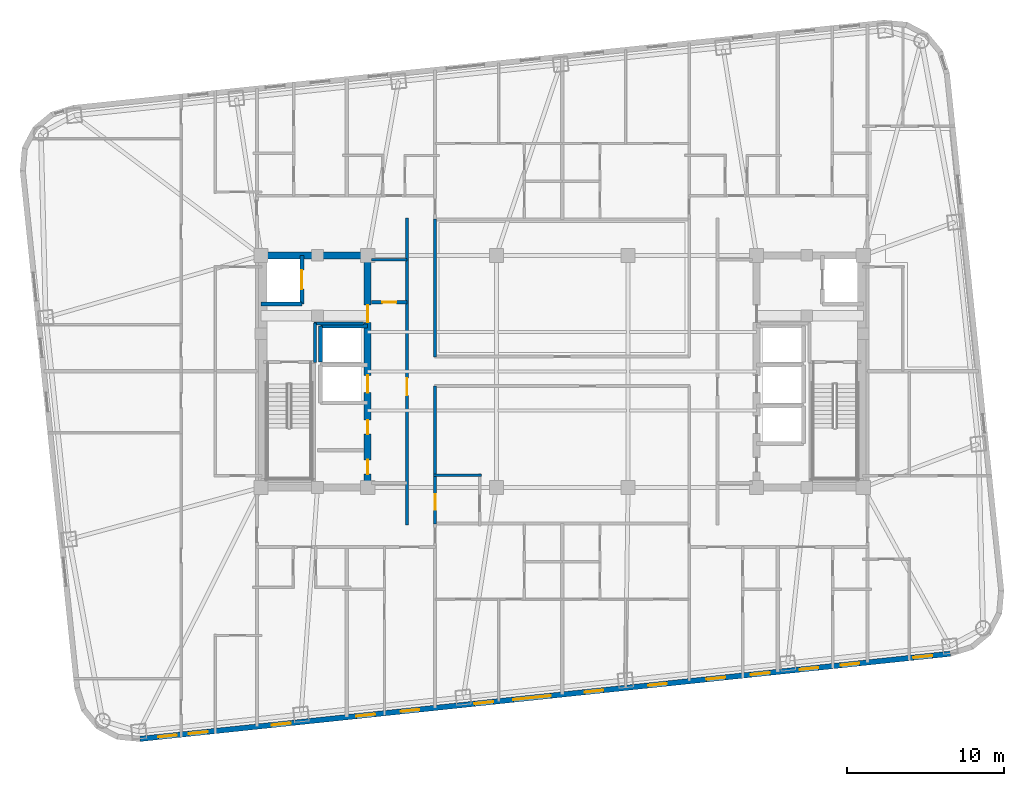
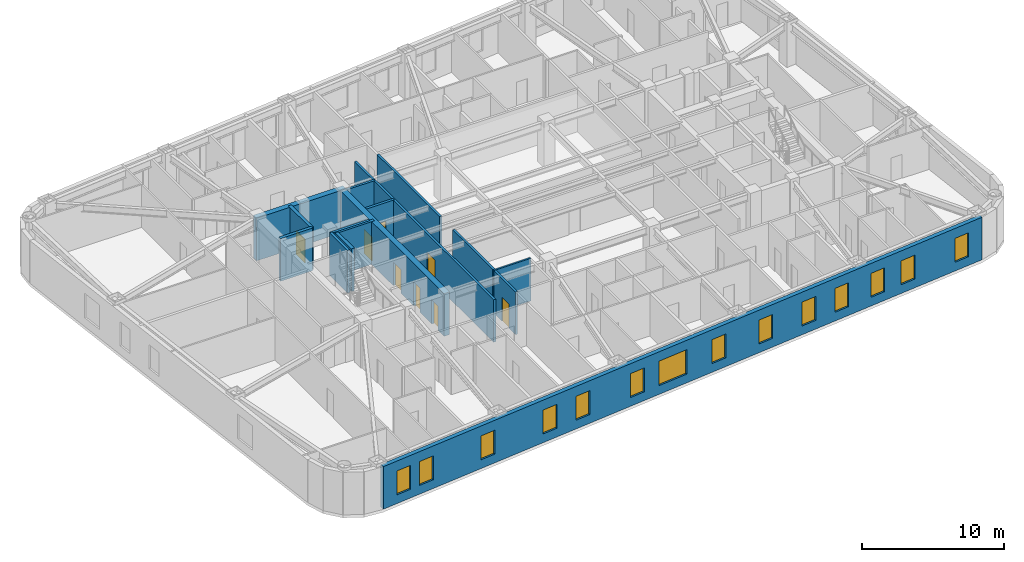
# One storey, part 4 of 11: 15 walls, 14 windows, 8 doors, 22 openings.
"""IFC4 building model written with IfcOpenShell, lengths in metres."""

from ifc_helpers import new_model, si_unit, direction, frame, frame_2d, origin, place, context, subcontext, project, spatial, rectangle, extrude, material, layer, layer_set, type_object, element, fill, save


model = new_model("IFC4")

# Units and contexts
model_context = context("Model", 3, precision=1e-05, world=origin(), true_north=direction((0.0, 1.0)))
body_context = subcontext(model_context, "Body", "Model", "MODEL_VIEW")
ifc_project = project(units=[si_unit("LENGTHUNIT", "METRE"), si_unit("AREAUNIT", "SQUARE_METRE"), si_unit("VOLUMEUNIT", "CUBIC_METRE"), si_unit("PLANEANGLEUNIT", "RADIAN"), si_unit("MASSUNIT", "GRAM", prefix="KILO")], contexts=[model_context])

# Site, building, storey
site_placement = place(None, origin())
site = spatial("IfcSite", under=ifc_project, at=site_placement, CompositionType="ELEMENT")
building_placement = place(site_placement, origin())
building = spatial("IfcBuilding", under=site, at=building_placement, Name="Voryun Gate Residences", CompositionType="ELEMENT")
storey_placement = place(building_placement, frame((0.0, 0.0, 183.300048828125)))
storey = spatial("IfcBuildingStorey", under=building, at=storey_placement, Name="L45", CompositionType="ELEMENT", Elevation=183.300048828125)

# Wall
ifc_material_1 = material(Name="Concrete C50/60", Category="concrete")
ifc_layer_1 = layer(ifc_material_1, 0.449951171875, Name="CW_CORE_450")
ifc_layer_set_1 = layer_set([ifc_layer_1], Name="Concrete C50/60")
wall_type_1 = type_object("IfcWallType", Name="CW_CORE_450", PredefinedType="SHEAR", material=ifc_layer_set_1)
wall_1_placement = place(storey_placement, frame((-19.425048828125, 7.39990234375, 0.0), z_axis=(0.0, 0.0, 1.0), x_axis=(1.0, 0.0, 0.0)))
element("IfcWall", 1, at=wall_1_placement, inside=storey, type_object=wall_type_1, Name="L45 Core shear wall CW-L45-WN", PredefinedType="SHEAR", context=body_context, shape_type="SweptSolid", body=[
    extrude(rectangle(XDim=7.25, YDim=0.449951171875, at=frame_2d((3.625, 0.0))), origin(), (0.0, 0.0, 1.0), 3.64990234375),
])

# Wall, openings, doors
wall_2_placement = place(storey_placement, frame((-12.39990234375, -7.39990234375, 0.0), z_axis=(0.0, 0.0, 1.0), x_axis=(0.0, 1.0, 0.0)))
wall_2 = element("IfcWall", 2, at=wall_2_placement, inside=storey, type_object=wall_type_1, Name="L45 Core shear wall CW-L45-WE", PredefinedType="SHEAR", context=body_context, shape_type="SweptSolid", body=[
    extrude(rectangle(XDim=14.7998046875, YDim=0.449951171875, at=frame_2d((7.39990234375, 0.0))), origin(), (0.0, 0.0, 1.0), 3.64990234375),
])
opening_1_placement = place(wall_2_placement, frame((6.050048828125, 0.0, 0.0)))
opening_1 = element("IfcOpeningElement", 3, at=opening_1_placement, cuts=wall_2, Name="Opening LD2", PredefinedType="OPENING", context=body_context, shape_type="SweptSolid", body=[
    extrude(rectangle(XDim=1.10009765625, YDim=2.050048828125, at=frame_2d((0.550048828125, 1.02490234375))), frame((0.0, 0.235107421875, 0.0), z_axis=(0.0, -1.0, 0.0), x_axis=(1.0, 0.0, 0.0)), (0.0, 0.0, 1.0), 0.469970703125),
])
opening_2_placement = place(wall_2_placement, frame((10.530029296875, 0.0, 0.0)))
opening_2 = element("IfcOpeningElement", 4, at=opening_2_placement, cuts=wall_2, Name="Opening D-FD60-2", PredefinedType="OPENING", context=body_context, shape_type="SweptSolid", body=[
    extrude(rectangle(XDim=1.10009765625, YDim=2.050048828125, at=frame_2d((0.550048828125, 1.02490234375))), frame((0.0, 0.235107421875, 0.0), z_axis=(0.0, -1.0, 0.0), x_axis=(1.0, 0.0, 0.0)), (0.0, 0.0, 1.0), 0.469970703125),
])
opening_3_placement = place(wall_2_placement, frame((0.85009765625, 0.0, 0.0)))
opening_3 = element("IfcOpeningElement", 5, at=opening_3_placement, cuts=wall_2, Name="Opening D-FD60-4", PredefinedType="OPENING", context=body_context, shape_type="SweptSolid", body=[
    extrude(rectangle(XDim=0.89990234375, YDim=2.050048828125, at=frame_2d((0.449951171875, 1.02490234375))), frame((0.0, 0.235107421875, 0.0), z_axis=(0.0, -1.0, 0.0), x_axis=(1.0, 0.0, 0.0)), (0.0, 0.0, 1.0), 0.469970703125),
])
opening_4_placement = place(wall_2_placement, frame((3.39990234375, 0.0, 0.0)))
opening_4 = element("IfcOpeningElement", 6, at=opening_4_placement, cuts=wall_2, Name="Opening D-FD60-4", PredefinedType="OPENING", context=body_context, shape_type="SweptSolid", body=[
    extrude(rectangle(XDim=0.89990234375, YDim=2.050048828125, at=frame_2d((0.449951171875, 1.02490234375))), frame((0.0, 0.235107421875, 0.0), z_axis=(0.0, -1.0, 0.0), x_axis=(1.0, 0.0, 0.0)), (0.0, 0.0, 1.0), 0.469970703125),
])
ifc_material_2 = material(Name="Painted steel fire door", Category="steel")
door_type_1 = type_object("IfcDoorType", Name="DR_FD60_FFLOB_1100", OperationType="NOTDEFINED", PredefinedType="DOOR", material=ifc_material_2)
door_1_placement = place(opening_2_placement, origin())
door_1 = element("IfcDoor", 7, at=door_1_placement, inside=storey, type_object=door_type_1, Name="Door DR-L45-CLOB-W", OperationType="SINGLE_SWING_LEFT", OverallHeight=2.050048828125, OverallWidth=1.10009765625, PredefinedType="DOOR", context=body_context, shape_type="SweptSolid", body=[
    extrude(rectangle(XDim=1.10009765625, YDim=2.050048828125, at=frame_2d((0.550048828125, 1.02490234375))), frame((0.0, 0.02490234375, 0.0), z_axis=(0.0, -1.0, 0.0), x_axis=(1.0, 0.0, 0.0)), (0.0, 0.0, 1.0), 0.050048828125),
])
fill(opening_2, door_1)
ifc_material_3 = material(Name="Painted steel fire door", Category="steel")
door_type_2 = type_object("IfcDoorType", Name="DR_FD60_RISER_900", OperationType="NOTDEFINED", PredefinedType="DOOR", material=ifc_material_3)
door_2_placement = place(opening_3_placement, origin())
door_2 = element("IfcDoor", 8, at=door_2_placement, inside=storey, type_object=door_type_2, Name="Door DR-L45-RECWB1", OperationType="SINGLE_SWING_LEFT", OverallHeight=2.050048828125, OverallWidth=0.89990234375, PredefinedType="DOOR", context=body_context, shape_type="SweptSolid", body=[
    extrude(rectangle(XDim=0.89990234375, YDim=2.050048828125, at=frame_2d((0.449951171875, 1.02490234375))), frame((0.0, 0.02490234375, 0.0), z_axis=(0.0, -1.0, 0.0), x_axis=(1.0, 0.0, 0.0)), (0.0, 0.0, 1.0), 0.050048828125),
])
fill(opening_3, door_2)
door_3_placement = place(opening_4_placement, origin())
door_3 = element("IfcDoor", 9, at=door_3_placement, inside=storey, type_object=door_type_2, Name="Door DR-L45-RECWB2", OperationType="SINGLE_SWING_RIGHT", OverallHeight=2.050048828125, OverallWidth=0.89990234375, PredefinedType="DOOR", context=body_context, shape_type="SweptSolid", body=[
    extrude(rectangle(XDim=0.89990234375, YDim=2.050048828125, at=frame_2d((0.449951171875, 1.02490234375))), frame((0.0, 0.02490234375, 0.0), z_axis=(0.0, -1.0, 0.0), x_axis=(1.0, 0.0, 0.0)), (0.0, 0.0, 1.0), 0.050048828125),
])
fill(opening_4, door_3)
ifc_material_4 = material(Name="Anodised aluminium", Category="aluminium")
door_type_3 = type_object("IfcDoorType", Name="DR_LD_PASS_1100", OperationType="NOTDEFINED", PredefinedType="DOOR", material=ifc_material_4)
door_4_placement = place(opening_1_placement, origin())
door_4 = element("IfcDoor", 10, at=door_4_placement, inside=storey, type_object=door_type_3, Name="Lift EL-P4 sliding landing door L45", OperationType="SLIDING_TO_LEFT", OverallHeight=2.050048828125, OverallWidth=1.10009765625, PredefinedType="DOOR", context=body_context, shape_type="SweptSolid", body=[
    extrude(rectangle(XDim=1.10009765625, YDim=2.050048828125, at=frame_2d((0.550048828125, 1.02490234375))), frame((0.0, 0.02490234375, 0.0), z_axis=(0.0, -1.0, 0.0), x_axis=(1.0, 0.0, 0.0)), (0.0, 0.0, 1.0), 0.050048828125),
])
fill(opening_1, door_4)

# Wall
ifc_material_5 = material(Name="Gypsum acoustic fireboard")
ifc_layer_2 = layer(ifc_material_5, 0.179931640625, Name="W_CORR_RATED_180")
ifc_layer_set_2 = layer_set([ifc_layer_2], Name="Gypsum acoustic fireboard")
wall_type_2 = type_object("IfcWallType", Name="W_CORR_RATED_180", PredefinedType="PARTITIONING", material=ifc_layer_set_2)
wall_3_placement = place(storey_placement, frame((-12.14990234375, 7.1201171875, 0.0), z_axis=(0.0, 0.0, 1.0), x_axis=(1.0, 0.0, 0.0)))
element("IfcWall", 11, at=wall_3_placement, inside=storey, type_object=wall_type_2, Name="Partition wall WP-L45-PLBN-W", PredefinedType="PARTITIONING", context=body_context, shape_type="SweptSolid", body=[
    extrude(rectangle(XDim=2.27001953125, YDim=0.179931640625, at=frame_2d((1.135009765625, 0.0))), origin(), (0.0, 0.0, 1.0), 3.64990234375),
])

# Wall, opening, door
wall_4_placement = place(storey_placement, frame((-9.89990234375, -9.780029296875, 0.0), z_axis=(0.0, 0.0, 1.0), x_axis=(0.0, 1.0, 0.0)))
wall_4 = element("IfcWall", 12, at=wall_4_placement, inside=storey, type_object=wall_type_2, Name="Partition wall WP-L45-PLBW-FULL", PredefinedType="PARTITIONING", context=body_context, shape_type="SweptSolid", body=[
    extrude(rectangle(XDim=19.56005859375, YDim=0.179931640625, at=frame_2d((9.780029296875, 0.0))), origin(), (0.0, 0.0, 1.0), 3.64990234375),
])
opening_5_placement = place(wall_4_placement, frame((8.251953125, 0.0, 0.0)))
opening_5 = element("IfcOpeningElement", 13, at=opening_5_placement, cuts=wall_4, Name="Opening D-FD60-2", PredefinedType="OPENING", context=body_context, shape_type="SweptSolid", body=[
    extrude(rectangle(XDim=1.10009765625, YDim=2.050048828125, at=frame_2d((0.550048828125, 1.02490234375))), frame((0.0, 0.099853515625, 0.0), z_axis=(0.0, -1.0, 0.0), x_axis=(1.0, 0.0, 0.0)), (0.0, 0.0, 1.0), 0.199951171875),
])
door_5_placement = place(opening_5_placement, origin())
door_5 = element("IfcDoor", 14, at=door_5_placement, inside=storey, type_object=door_type_1, Name="Door DR-L45-PLBW-COR", OperationType="SINGLE_SWING_LEFT", OverallHeight=2.050048828125, OverallWidth=1.10009765625, PredefinedType="DOOR", context=body_context, shape_type="SweptSolid", body=[
    extrude(rectangle(XDim=1.10009765625, YDim=2.050048828125, at=frame_2d((0.550048828125, 1.02490234375))), frame((0.0, 0.02490234375, 0.0), z_axis=(0.0, -1.0, 0.0), x_axis=(1.0, 0.0, 0.0)), (0.0, 0.0, 1.0), 0.050048828125),
])
fill(opening_5, door_5)

# Wall
wall_5_placement = place(storey_placement, frame((-8.10009765625, 0.919921875, 0.0), z_axis=(0.0, 0.0, 1.0), x_axis=(0.0, 1.0, 0.0)))
element("IfcWall", 15, at=wall_5_placement, inside=storey, type_object=wall_type_2, Name="Partition wall WP-L45-Z2WL1", PredefinedType="PARTITIONING", context=body_context, shape_type="SweptSolid", body=[
    extrude(rectangle(XDim=8.81005859375, YDim=0.179931640625, at=frame_2d((4.405029296875, 0.0))), origin(), (0.0, 0.0, 1.0), 3.64990234375),
])

# Wall, opening, door
wall_6_placement = place(storey_placement, frame((-8.10009765625, -9.72998046875, 0.0), z_axis=(0.0, 0.0, 1.0), x_axis=(0.0, 1.0, 0.0)))
wall_6 = element("IfcWall", 16, at=wall_6_placement, inside=storey, type_object=wall_type_2, Name="Partition wall WP-L45-Z2WL2", PredefinedType="PARTITIONING", context=body_context, shape_type="SweptSolid", body=[
    extrude(rectangle(XDim=8.81005859375, YDim=0.179931640625, at=frame_2d((4.405029296875, 0.0))), origin(), (0.0, 0.0, 1.0), 3.64990234375),
])
opening_6_placement = place(wall_6_placement, frame((0.90966796875, 0.0, 0.0)))
opening_6 = element("IfcOpeningElement", 17, at=opening_6_placement, cuts=wall_6, Name="Opening D-AWC-1", PredefinedType="OPENING", context=body_context, shape_type="SweptSolid", body=[
    extrude(rectangle(XDim=1.0, YDim=2.050048828125, at=frame_2d((0.5, 1.02490234375))), frame((0.0, 0.099853515625, 0.0), z_axis=(0.0, -1.0, 0.0), x_axis=(1.0, 0.0, 0.0)), (0.0, 0.0, 1.0), 0.199951171875),
])
ifc_material_6 = material(Name="Architectural oak veneer")
door_type_4 = type_object("IfcDoorType", Name="DR_ACC_WC_1000", OperationType="NOTDEFINED", PredefinedType="DOOR", material=ifc_material_6)
door_6_placement = place(opening_6_placement, origin())
door_6 = element("IfcDoor", 18, at=door_6_placement, inside=storey, type_object=door_type_4, Name="Door DR-L45-CMWC-D", OperationType="SINGLE_SWING_LEFT", OverallHeight=2.050048828125, OverallWidth=1.0, PredefinedType="DOOR", context=body_context, shape_type="SweptSolid", body=[
    extrude(rectangle(XDim=1.0, YDim=2.050048828125, at=frame_2d((0.5, 1.02490234375))), frame((0.0, 0.02490234375, 0.0), z_axis=(0.0, -1.0, 0.0), x_axis=(1.0, 0.0, 0.0)), (0.0, 0.0, 1.0), 0.050048828125),
])
fill(opening_6, door_6)

# Wall, openings, windows
ifc_material_7 = material(Name="Charcoal terracotta masonry", Category="masonry")
ifc_layer_3 = layer(ifc_material_7, 0.340087890625, Name="W_EXT_TERRACOTTA_340")
ifc_layer_set_3 = layer_set([ifc_layer_3], Name="Charcoal terracotta masonry")
wall_type_3 = type_object("IfcWallType", Name="W_EXT_TERRACOTTA_340", PredefinedType="ELEMENTEDWALL", material=ifc_layer_set_3)
wall_7_placement = place(storey_placement, frame((24.755615234375, -18.003173828125, 0.0), z_axis=(0.0, 0.0, 1.0), x_axis=(-0.99452160744, -0.104531202687, 0.0)))
wall_7 = element("IfcWall", 19, at=wall_7_placement, inside=storey, type_object=wall_type_3, Name="Exterior wall WEXT-L45-01", PredefinedType="ELEMENTEDWALL", context=body_context, shape_type="SweptSolid", body=[
    extrude(rectangle(XDim=51.966552734375, YDim=0.340087890625, at=frame_2d((25.9833984375, 0.0))), origin(), (0.0, 0.0, 1.0), 3.64990234375),
])
opening_7_placement = place(wall_7_placement, frame((25.63330078125, 0.0, 0.75)))
opening_7 = element("IfcOpeningElement", 20, at=opening_7_placement, cuts=wall_7, Name="Opening WN2", PredefinedType="OPENING", context=body_context, shape_type="SweptSolid", body=[
    extrude(rectangle(XDim=2.39990234375, YDim=2.10009765625, at=frame_2d((1.199951171875, 1.050048828125))), frame((0.0, 0.179931640625, 0.0), z_axis=(0.0, -1.0, 0.0), x_axis=(1.0, 0.0, 0.0)), (0.0, 0.0, 1.0), 0.360107421875),
])
opening_8_placement = place(wall_7_placement, frame((42.301025390625, 0.0, 0.75)))
opening_8 = element("IfcOpeningElement", 21, at=opening_8_placement, cuts=wall_7, Name="Opening WN6", PredefinedType="OPENING", context=body_context, shape_type="SweptSolid", body=[
    extrude(rectangle(XDim=1.199951171875, YDim=2.050048828125, at=frame_2d((0.60009765625, 1.02490234375))), frame((0.0, 0.179931640625, 0.0), z_axis=(0.0, -1.0, 0.0), x_axis=(1.0, 0.0, 0.0)), (0.0, 0.0, 1.0), 0.360107421875),
])
opening_9_placement = place(wall_7_placement, frame((34.048583984375, 0.0, 0.75)))
opening_9 = element("IfcOpeningElement", 22, at=opening_9_placement, cuts=wall_7, Name="Opening WN6", PredefinedType="OPENING", context=body_context, shape_type="SweptSolid", body=[
    extrude(rectangle(XDim=1.199951171875, YDim=2.050048828125, at=frame_2d((0.60009765625, 1.02490234375))), frame((0.0, 0.179931640625, 0.0), z_axis=(0.0, -1.0, 0.0), x_axis=(1.0, 0.0, 0.0)), (0.0, 0.0, 1.0), 0.360107421875),
])
opening_10_placement = place(wall_7_placement, frame((36.89404296875, 0.0, 0.75)))
opening_10 = element("IfcOpeningElement", 23, at=opening_10_placement, cuts=wall_7, Name="Opening WN6", PredefinedType="OPENING", context=body_context, shape_type="SweptSolid", body=[
    extrude(rectangle(XDim=1.199951171875, YDim=2.050048828125, at=frame_2d((0.60009765625, 1.02490234375))), frame((0.0, 0.179931640625, 0.0), z_axis=(0.0, -1.0, 0.0), x_axis=(1.0, 0.0, 0.0)), (0.0, 0.0, 1.0), 0.360107421875),
])
opening_11_placement = place(wall_7_placement, frame((14.43603515625, 0.0, 0.75)))
opening_11 = element("IfcOpeningElement", 24, at=opening_11_placement, cuts=wall_7, Name="Opening WN6", PredefinedType="OPENING", context=body_context, shape_type="SweptSolid", body=[
    extrude(rectangle(XDim=1.199951171875, YDim=2.050048828125, at=frame_2d((0.60009765625, 1.02490234375))), frame((0.0, 0.179931640625, 0.0), z_axis=(0.0, -1.0, 0.0), x_axis=(1.0, 0.0, 0.0)), (0.0, 0.0, 1.0), 0.360107421875),
])
opening_12_placement = place(wall_7_placement, frame((11.590576171875, 0.0, 0.75)))
opening_12 = element("IfcOpeningElement", 25, at=opening_12_placement, cuts=wall_7, Name="Opening WN6", PredefinedType="OPENING", context=body_context, shape_type="SweptSolid", body=[
    extrude(rectangle(XDim=1.199951171875, YDim=2.050048828125, at=frame_2d((0.60009765625, 1.02490234375))), frame((0.0, 0.179931640625, 0.0), z_axis=(0.0, -1.0, 0.0), x_axis=(1.0, 0.0, 0.0)), (0.0, 0.0, 1.0), 0.360107421875),
])
opening_13_placement = place(wall_7_placement, frame((8.46923828125, 0.0, 0.75)))
opening_13 = element("IfcOpeningElement", 26, at=opening_13_placement, cuts=wall_7, Name="Opening WN6", PredefinedType="OPENING", context=body_context, shape_type="SweptSolid", body=[
    extrude(rectangle(XDim=1.199951171875, YDim=2.050048828125, at=frame_2d((0.60009765625, 1.02490234375))), frame((0.0, 0.179931640625, 0.0), z_axis=(0.0, -1.0, 0.0), x_axis=(1.0, 0.0, 0.0)), (0.0, 0.0, 1.0), 0.360107421875),
])
opening_14_placement = place(wall_7_placement, frame((5.83349609375, 0.0, 0.75)))
opening_14 = element("IfcOpeningElement", 27, at=opening_14_placement, cuts=wall_7, Name="Opening WN6", PredefinedType="OPENING", context=body_context, shape_type="SweptSolid", body=[
    extrude(rectangle(XDim=1.199951171875, YDim=2.050048828125, at=frame_2d((0.60009765625, 1.02490234375))), frame((0.0, 0.179931640625, 0.0), z_axis=(0.0, -1.0, 0.0), x_axis=(1.0, 0.0, 0.0)), (0.0, 0.0, 1.0), 0.360107421875),
])
opening_15_placement = place(wall_7_placement, frame((29.31298828125, 0.0, 0.75)))
opening_15 = element("IfcOpeningElement", 28, at=opening_15_placement, cuts=wall_7, Name="Opening WN6", PredefinedType="OPENING", context=body_context, shape_type="SweptSolid", body=[
    extrude(rectangle(XDim=1.199951171875, YDim=2.050048828125, at=frame_2d((0.60009765625, 1.02490234375))), frame((0.0, 0.179931640625, 0.0), z_axis=(0.0, -1.0, 0.0), x_axis=(1.0, 0.0, 0.0)), (0.0, 0.0, 1.0), 0.360107421875),
])
opening_16_placement = place(wall_7_placement, frame((22.248291015625, 0.0, 0.75)))
opening_16 = element("IfcOpeningElement", 29, at=opening_16_placement, cuts=wall_7, Name="Opening WN6", PredefinedType="OPENING", context=body_context, shape_type="SweptSolid", body=[
    extrude(rectangle(XDim=1.199951171875, YDim=2.050048828125, at=frame_2d((0.60009765625, 1.02490234375))), frame((0.0, 0.179931640625, 0.0), z_axis=(0.0, -1.0, 0.0), x_axis=(1.0, 0.0, 0.0)), (0.0, 0.0, 1.0), 0.360107421875),
])
opening_17_placement = place(wall_7_placement, frame((18.18603515625, 0.0, 0.75)))
opening_17 = element("IfcOpeningElement", 30, at=opening_17_placement, cuts=wall_7, Name="Opening WN6", PredefinedType="OPENING", context=body_context, shape_type="SweptSolid", body=[
    extrude(rectangle(XDim=1.199951171875, YDim=2.050048828125, at=frame_2d((0.60009765625, 1.02490234375))), frame((0.0, 0.179931640625, 0.0), z_axis=(0.0, -1.0, 0.0), x_axis=(1.0, 0.0, 0.0)), (0.0, 0.0, 1.0), 0.360107421875),
])
opening_18_placement = place(wall_7_placement, frame((47.62744140625, 0.0, 0.75)))
opening_18 = element("IfcOpeningElement", 31, at=opening_18_placement, cuts=wall_7, Name="Opening WN6", PredefinedType="OPENING", context=body_context, shape_type="SweptSolid", body=[
    extrude(rectangle(XDim=1.199951171875, YDim=2.050048828125, at=frame_2d((0.60009765625, 1.02490234375))), frame((0.0, 0.179931640625, 0.0), z_axis=(0.0, -1.0, 0.0), x_axis=(1.0, 0.0, 0.0)), (0.0, 0.0, 1.0), 0.360107421875),
])
opening_19_placement = place(wall_7_placement, frame((49.5986328125, 0.0, 0.75)))
opening_19 = element("IfcOpeningElement", 32, at=opening_19_placement, cuts=wall_7, Name="Opening WN6", PredefinedType="OPENING", context=body_context, shape_type="SweptSolid", body=[
    extrude(rectangle(XDim=1.199951171875, YDim=2.050048828125, at=frame_2d((0.60009765625, 1.02490234375))), frame((0.0, 0.179931640625, 0.0), z_axis=(0.0, -1.0, 0.0), x_axis=(1.0, 0.0, 0.0)), (0.0, 0.0, 1.0), 0.360107421875),
])
opening_20_placement = place(wall_7_placement, frame((1.170166015625, 0.0, 0.75)))
opening_20 = element("IfcOpeningElement", 33, at=opening_20_placement, cuts=wall_7, Name="Opening WN6", PredefinedType="OPENING", context=body_context, shape_type="SweptSolid", body=[
    extrude(rectangle(XDim=1.199951171875, YDim=2.050048828125, at=frame_2d((0.60009765625, 1.02490234375))), frame((0.0, 0.179931640625, 0.0), z_axis=(0.0, -1.0, 0.0), x_axis=(1.0, 0.0, 0.0)), (0.0, 0.0, 1.0), 0.360107421875),
])
ifc_material_8 = material(Name="Laminated low-E glass", Category="glass")
window_type_1 = type_object("IfcWindowType", Name="WN_POD_SLOT_1200", PartitioningType="SINGLE_PANEL", PredefinedType="WINDOW", material=ifc_material_8)
window_1_placement = place(opening_8_placement, origin())
window_1 = element("IfcWindow", 34, at=window_1_placement, inside=storey, type_object=window_type_1, Name="Window WN-L45-DWFIX-10", OverallHeight=2.050048828125, OverallWidth=1.199951171875, PartitioningType="SINGLE_PANEL", PredefinedType="WINDOW", context=body_context, shape_type="SweptSolid", body=[
    extrude(rectangle(XDim=1.199951171875, YDim=2.050048828125, at=frame_2d((0.60009765625, 1.02490234375))), frame((0.0, 0.030029296875, 0.0), z_axis=(0.0, -1.0, 0.0), x_axis=(1.0, 0.0, 0.0)), (0.0, 0.0, 1.0), 0.06005859375),
])
fill(opening_8, window_1)
window_2_placement = place(opening_9_placement, origin())
window_2 = element("IfcWindow", 35, at=window_2_placement, inside=storey, type_object=window_type_1, Name="Window WN-L45-DWFIX-11", OverallHeight=2.050048828125, OverallWidth=1.199951171875, PartitioningType="SINGLE_PANEL", PredefinedType="WINDOW", context=body_context, shape_type="SweptSolid", body=[
    extrude(rectangle(XDim=1.199951171875, YDim=2.050048828125, at=frame_2d((0.60009765625, 1.02490234375))), frame((0.0, 0.030029296875, 0.0), z_axis=(0.0, -1.0, 0.0), x_axis=(1.0, 0.0, 0.0)), (0.0, 0.0, 1.0), 0.06005859375),
])
fill(opening_9, window_2)
window_3_placement = place(opening_10_placement, origin())
window_3 = element("IfcWindow", 36, at=window_3_placement, inside=storey, type_object=window_type_1, Name="Window WN-L45-DWFIX-12", OverallHeight=2.050048828125, OverallWidth=1.199951171875, PartitioningType="SINGLE_PANEL", PredefinedType="WINDOW", context=body_context, shape_type="SweptSolid", body=[
    extrude(rectangle(XDim=1.199951171875, YDim=2.050048828125, at=frame_2d((0.60009765625, 1.02490234375))), frame((0.0, 0.030029296875, 0.0), z_axis=(0.0, -1.0, 0.0), x_axis=(1.0, 0.0, 0.0)), (0.0, 0.0, 1.0), 0.06005859375),
])
fill(opening_10, window_3)
window_4_placement = place(opening_11_placement, origin())
window_4 = element("IfcWindow", 37, at=window_4_placement, inside=storey, type_object=window_type_1, Name="Window WN-L45-DWFIX-13", OverallHeight=2.050048828125, OverallWidth=1.199951171875, PartitioningType="SINGLE_PANEL", PredefinedType="WINDOW", context=body_context, shape_type="SweptSolid", body=[
    extrude(rectangle(XDim=1.199951171875, YDim=2.050048828125, at=frame_2d((0.60009765625, 1.02490234375))), frame((0.0, 0.030029296875, 0.0), z_axis=(0.0, -1.0, 0.0), x_axis=(1.0, 0.0, 0.0)), (0.0, 0.0, 1.0), 0.06005859375),
])
fill(opening_11, window_4)
window_5_placement = place(opening_12_placement, origin())
window_5 = element("IfcWindow", 38, at=window_5_placement, inside=storey, type_object=window_type_1, Name="Window WN-L45-DWFIX-14", OverallHeight=2.050048828125, OverallWidth=1.199951171875, PartitioningType="SINGLE_PANEL", PredefinedType="WINDOW", context=body_context, shape_type="SweptSolid", body=[
    extrude(rectangle(XDim=1.199951171875, YDim=2.050048828125, at=frame_2d((0.60009765625, 1.02490234375))), frame((0.0, 0.030029296875, 0.0), z_axis=(0.0, -1.0, 0.0), x_axis=(1.0, 0.0, 0.0)), (0.0, 0.0, 1.0), 0.06005859375),
])
fill(opening_12, window_5)
window_6_placement = place(opening_13_placement, origin())
window_6 = element("IfcWindow", 39, at=window_6_placement, inside=storey, type_object=window_type_1, Name="Window WN-L45-DWFIX-15", OverallHeight=2.050048828125, OverallWidth=1.199951171875, PartitioningType="SINGLE_PANEL", PredefinedType="WINDOW", context=body_context, shape_type="SweptSolid", body=[
    extrude(rectangle(XDim=1.199951171875, YDim=2.050048828125, at=frame_2d((0.60009765625, 1.02490234375))), frame((0.0, 0.030029296875, 0.0), z_axis=(0.0, -1.0, 0.0), x_axis=(1.0, 0.0, 0.0)), (0.0, 0.0, 1.0), 0.06005859375),
])
fill(opening_13, window_6)
window_7_placement = place(opening_14_placement, origin())
window_7 = element("IfcWindow", 40, at=window_7_placement, inside=storey, type_object=window_type_1, Name="Window WN-L45-DWFIX-16", OverallHeight=2.050048828125, OverallWidth=1.199951171875, PartitioningType="SINGLE_PANEL", PredefinedType="WINDOW", context=body_context, shape_type="SweptSolid", body=[
    extrude(rectangle(XDim=1.199951171875, YDim=2.050048828125, at=frame_2d((0.60009765625, 1.02490234375))), frame((0.0, 0.030029296875, 0.0), z_axis=(0.0, -1.0, 0.0), x_axis=(1.0, 0.0, 0.0)), (0.0, 0.0, 1.0), 0.06005859375),
])
fill(opening_14, window_7)
window_8_placement = place(opening_15_placement, origin())
window_8 = element("IfcWindow", 41, at=window_8_placement, inside=storey, type_object=window_type_1, Name="Window WN-L45-DWFIX-17", OverallHeight=2.050048828125, OverallWidth=1.199951171875, PartitioningType="SINGLE_PANEL", PredefinedType="WINDOW", context=body_context, shape_type="SweptSolid", body=[
    extrude(rectangle(XDim=1.199951171875, YDim=2.050048828125, at=frame_2d((0.60009765625, 1.02490234375))), frame((0.0, 0.030029296875, 0.0), z_axis=(0.0, -1.0, 0.0), x_axis=(1.0, 0.0, 0.0)), (0.0, 0.0, 1.0), 0.06005859375),
])
fill(opening_15, window_8)
window_9_placement = place(opening_16_placement, origin())
window_9 = element("IfcWindow", 42, at=window_9_placement, inside=storey, type_object=window_type_1, Name="Window WN-L45-DWFIX-18", OverallHeight=2.050048828125, OverallWidth=1.199951171875, PartitioningType="SINGLE_PANEL", PredefinedType="WINDOW", context=body_context, shape_type="SweptSolid", body=[
    extrude(rectangle(XDim=1.199951171875, YDim=2.050048828125, at=frame_2d((0.60009765625, 1.02490234375))), frame((0.0, 0.030029296875, 0.0), z_axis=(0.0, -1.0, 0.0), x_axis=(1.0, 0.0, 0.0)), (0.0, 0.0, 1.0), 0.06005859375),
])
fill(opening_16, window_9)
window_10_placement = place(opening_17_placement, origin())
window_10 = element("IfcWindow", 43, at=window_10_placement, inside=storey, type_object=window_type_1, Name="Window WN-L45-DWFIX-19", OverallHeight=2.050048828125, OverallWidth=1.199951171875, PartitioningType="SINGLE_PANEL", PredefinedType="WINDOW", context=body_context, shape_type="SweptSolid", body=[
    extrude(rectangle(XDim=1.199951171875, YDim=2.050048828125, at=frame_2d((0.60009765625, 1.02490234375))), frame((0.0, 0.030029296875, 0.0), z_axis=(0.0, -1.0, 0.0), x_axis=(1.0, 0.0, 0.0)), (0.0, 0.0, 1.0), 0.06005859375),
])
fill(opening_17, window_10)
window_11_placement = place(opening_18_placement, origin())
window_11 = element("IfcWindow", 44, at=window_11_placement, inside=storey, type_object=window_type_1, Name="Window WN-L45-DWFIX-20", OverallHeight=2.050048828125, OverallWidth=1.199951171875, PartitioningType="SINGLE_PANEL", PredefinedType="WINDOW", context=body_context, shape_type="SweptSolid", body=[
    extrude(rectangle(XDim=1.199951171875, YDim=2.050048828125, at=frame_2d((0.60009765625, 1.02490234375))), frame((0.0, 0.030029296875, 0.0), z_axis=(0.0, -1.0, 0.0), x_axis=(1.0, 0.0, 0.0)), (0.0, 0.0, 1.0), 0.06005859375),
])
fill(opening_18, window_11)
window_12_placement = place(opening_19_placement, origin())
window_12 = element("IfcWindow", 45, at=window_12_placement, inside=storey, type_object=window_type_1, Name="Window WN-L45-DWFIX-22", OverallHeight=2.050048828125, OverallWidth=1.199951171875, PartitioningType="SINGLE_PANEL", PredefinedType="WINDOW", context=body_context, shape_type="SweptSolid", body=[
    extrude(rectangle(XDim=1.199951171875, YDim=2.050048828125, at=frame_2d((0.60009765625, 1.02490234375))), frame((0.0, 0.030029296875, 0.0), z_axis=(0.0, -1.0, 0.0), x_axis=(1.0, 0.0, 0.0)), (0.0, 0.0, 1.0), 0.06005859375),
])
fill(opening_19, window_12)
window_13_placement = place(opening_20_placement, origin())
window_13 = element("IfcWindow", 46, at=window_13_placement, inside=storey, type_object=window_type_1, Name="Window WN-L45-DWFIX-26", OverallHeight=2.050048828125, OverallWidth=1.199951171875, PartitioningType="SINGLE_PANEL", PredefinedType="WINDOW", context=body_context, shape_type="SweptSolid", body=[
    extrude(rectangle(XDim=1.199951171875, YDim=2.050048828125, at=frame_2d((0.60009765625, 1.02490234375))), frame((0.0, 0.030029296875, 0.0), z_axis=(0.0, -1.0, 0.0), x_axis=(1.0, 0.0, 0.0)), (0.0, 0.0, 1.0), 0.06005859375),
])
fill(opening_20, window_13)
ifc_material_9 = material(Name="Laminated low-E glass", Category="glass")
window_type_2 = type_object("IfcWindowType", Name="WN_RES_WIDE_2400", PartitioningType="SINGLE_PANEL", PredefinedType="WINDOW", material=ifc_material_9)
window_14_placement = place(opening_7_placement, origin())
window_14 = element("IfcWindow", 47, at=window_14_placement, inside=storey, type_object=window_type_2, Name="Window WN-WEXT-L45-01-02", OverallHeight=2.10009765625, OverallWidth=2.39990234375, PartitioningType="SINGLE_PANEL", PredefinedType="WINDOW", context=body_context, shape_type="SweptSolid", body=[
    extrude(rectangle(XDim=2.39990234375, YDim=2.10009765625, at=frame_2d((1.199951171875, 1.050048828125))), frame((0.0, 0.030029296875, 0.0), z_axis=(0.0, -1.0, 0.0), x_axis=(1.0, 0.0, 0.0)), (0.0, 0.0, 1.0), 0.06005859375),
])
fill(opening_7, window_14)

# Walls
ifc_material_10 = material(Name="Concrete C40/50", Category="concrete")
ifc_layer_4 = layer(ifc_material_10, 0.199951171875, Name="W_FF_LOBBY_200")
ifc_layer_set_4 = layer_set([ifc_layer_4], Name="Concrete C40/50")
wall_type_4 = type_object("IfcWallType", Name="W_FF_LOBBY_200", PredefinedType="PARTITIONING", material=ifc_layer_set_4)
wall_8_placement = place(storey_placement, frame((-15.760009765625, 0.580078125, 0.0), z_axis=(0.0, 0.0, 1.0), x_axis=(0.0, 1.0, 0.0)))
element("IfcWall", 48, at=wall_8_placement, inside=storey, type_object=wall_type_4, Name="Partition wall WP-L45-FFP0-W", PredefinedType="PARTITIONING", context=body_context, shape_type="SweptSolid", body=[
    extrude(rectangle(XDim=2.52001953125, YDim=0.199951171875, at=frame_2d((1.260009765625, 0.0))), origin(), (0.0, 0.0, 1.0), 3.64990234375),
])
wall_9_placement = place(storey_placement, frame((-15.820068359375, 3.06005859375, 0.0), z_axis=(0.0, 0.0, 1.0), x_axis=(1.0, 0.0, 0.0)))
element("IfcWall", 49, at=wall_9_placement, inside=storey, type_object=wall_type_4, Name="Partition wall WP-L45-FFPS-W", PredefinedType="PARTITIONING", context=body_context, shape_type="SweptSolid", body=[
    extrude(rectangle(XDim=3.16015625, YDim=0.199951171875, at=frame_2d((1.580078125, 0.0))), origin(), (0.0, 0.0, 1.0), 3.64990234375),
])

# Wall, opening, door
wall_10_placement = place(storey_placement, frame((-12.14990234375, 4.409912109375, 0.0), z_axis=(0.0, 0.0, 1.0), x_axis=(1.0, 0.0, 0.0)))
wall_10 = element("IfcWall", 50, at=wall_10_placement, inside=storey, type_object=wall_type_4, Name="Partition wall WP-L45-CSFLKS-W", PredefinedType="PARTITIONING", context=body_context, shape_type="SweptSolid", body=[
    extrude(rectangle(XDim=2.27001953125, YDim=0.199951171875, at=frame_2d((1.135009765625, 0.0))), origin(), (0.0, 0.0, 1.0), 3.64990234375),
])
opening_21_placement = place(wall_10_placement, frame((0.68505859375, 0.0, 0.0)))
opening_21 = element("IfcOpeningElement", 51, at=opening_21_placement, cuts=wall_10, Name="Opening D-FD60-4", PredefinedType="OPENING", context=body_context, shape_type="SweptSolid", body=[
    extrude(rectangle(XDim=0.89990234375, YDim=2.050048828125, at=frame_2d((0.449951171875, 1.02490234375))), frame((0.0, 0.110107421875, 0.0), z_axis=(0.0, -1.0, 0.0), x_axis=(1.0, 0.0, 0.0)), (0.0, 0.0, 1.0), 0.219970703125),
])
door_7_placement = place(opening_21_placement, origin())
door_7 = element("IfcDoor", 52, at=door_7_placement, inside=storey, type_object=door_type_2, Name="Door DR-L45-CSFLK-W", OperationType="SINGLE_SWING_LEFT", OverallHeight=2.050048828125, OverallWidth=0.89990234375, PredefinedType="DOOR", context=body_context, shape_type="SweptSolid", body=[
    extrude(rectangle(XDim=0.89990234375, YDim=2.050048828125, at=frame_2d((0.449951171875, 1.02490234375))), frame((0.0, 0.02490234375, 0.0), z_axis=(0.0, -1.0, 0.0), x_axis=(1.0, 0.0, 0.0)), (0.0, 0.0, 1.0), 0.050048828125),
])
fill(opening_21, door_7)

# Wall
ifc_material_11 = material(Name="Concrete C50/60", Category="concrete")
ifc_layer_5 = layer(ifc_material_11, 0.25, Name="W_SHAFT_RC250")
ifc_layer_set_5 = layer_set([ifc_layer_5], Name="Concrete C50/60")
wall_type_5 = type_object("IfcWallType", Name="W_SHAFT_RC250", PredefinedType="SOLIDWALL", material=ifc_layer_set_5)
wall_11_placement = place(storey_placement, frame((-19.199951171875, 4.300048828125, 0.0), z_axis=(0.0, 0.0, 1.0), x_axis=(1.0, 0.0, 0.0)))
element("IfcWall", 53, at=wall_11_placement, inside=storey, type_object=wall_type_5, Name="Lift shaft wall WSH-L45-EL-FF-W1-S", PredefinedType="SOLIDWALL", context=body_context, shape_type="SweptSolid", body=[
    extrude(rectangle(XDim=2.599853515625, YDim=0.25, at=frame_2d((1.2998046875, 0.0))), origin(), (0.0, 0.0, 1.0), 3.64990234375),
])

# Wall, opening, door
wall_12_placement = place(storey_placement, frame((-16.60009765625, 4.300048828125, 0.0), z_axis=(0.0, 0.0, 1.0), x_axis=(0.0, 1.0, 0.0)))
wall_12 = element("IfcWall", 54, at=wall_12_placement, inside=storey, type_object=wall_type_5, Name="Lift shaft wall WSH-L45-EL-FF-W1-E", PredefinedType="SOLIDWALL", context=body_context, shape_type="SweptSolid", body=[
    extrude(rectangle(XDim=3.099853515625, YDim=0.25, at=frame_2d((1.5498046875, 0.0))), origin(), (0.0, 0.0, 1.0), 3.64990234375),
])
opening_22_placement = place(wall_12_placement, frame((0.949951171875, 0.0, 0.0)))
opening_22 = element("IfcOpeningElement", 55, at=opening_22_placement, cuts=wall_12, Name="Opening LD1", PredefinedType="OPENING", context=body_context, shape_type="SweptSolid", body=[
    extrude(rectangle(XDim=1.199951171875, YDim=2.050048828125, at=frame_2d((0.60009765625, 1.02490234375))), frame((0.0, 0.135009765625, 0.0), z_axis=(0.0, -1.0, 0.0), x_axis=(1.0, 0.0, 0.0)), (0.0, 0.0, 1.0), 0.27001953125),
])
ifc_material_12 = material(Name="Anodised aluminium", Category="aluminium")
door_type_5 = type_object("IfcDoorType", Name="DR_LD_FF_1200", OperationType="NOTDEFINED", PredefinedType="DOOR", material=ifc_material_12)
door_8_placement = place(opening_22_placement, origin())
door_8 = element("IfcDoor", 56, at=door_8_placement, inside=storey, type_object=door_type_5, Name="Lift EL-FF-W1 sliding landing door L45", OperationType="SLIDING_TO_LEFT", OverallHeight=2.050048828125, OverallWidth=1.199951171875, PredefinedType="DOOR", context=body_context, shape_type="SweptSolid", body=[
    extrude(rectangle(XDim=1.199951171875, YDim=2.050048828125, at=frame_2d((0.60009765625, 1.02490234375))), frame((0.0, 0.02490234375, 0.0), z_axis=(0.0, -1.0, 0.0), x_axis=(1.0, 0.0, 0.0)), (0.0, 0.0, 1.0), 0.050048828125),
])
fill(opening_22, door_8)

# Walls
wall_13_placement = place(storey_placement, frame((-12.39990234375, 2.89990234375, 0.0), z_axis=(0.0, 0.0, 1.0), x_axis=(-1.0, 0.0, 0.0)))
element("IfcWall", 57, at=wall_13_placement, inside=storey, type_object=wall_type_5, Name="Lift shaft wall WSH-L45-EL-P7-N", PredefinedType="SOLIDWALL", context=body_context, shape_type="SweptSolid", body=[
    extrude(rectangle(XDim=3.0, YDim=0.25, at=frame_2d((1.5, 0.0))), origin(), (0.0, 0.0, 1.0), 3.64990234375),
])
wall_14_placement = place(storey_placement, frame((-15.39990234375, 2.89990234375, 0.0), z_axis=(0.0, 0.0, 1.0), x_axis=(0.0, -1.0, 0.0)))
element("IfcWall", 58, at=wall_14_placement, inside=storey, type_object=wall_type_5, Name="Lift shaft wall WSH-L45-EL-P7-W", PredefinedType="SOLIDWALL", context=body_context, shape_type="SweptSolid", body=[
    extrude(rectangle(XDim=2.2998046875, YDim=0.25, at=frame_2d((1.14990234375, 0.0))), origin(), (0.0, 0.0, 1.0), 3.64990234375),
])
ifc_material_13 = material(Name="Gypsum moisture-resistant partition")
ifc_layer_6 = layer(ifc_material_13, 0.14990234375, Name="W_WET_PLUMB_150")
ifc_layer_set_6 = layer_set([ifc_layer_6], Name="Gypsum moisture-resistant partition")
wall_type_6 = type_object("IfcWallType", Name="W_WET_PLUMB_150", PredefinedType="PLUMBINGWALL", material=ifc_layer_set_6)
wall_15_placement = place(storey_placement, frame((-8.2099609375, -6.6201171875, 0.0), z_axis=(0.0, 0.0, 1.0), x_axis=(1.0, 0.0, 0.0)))
element("IfcWall", 59, at=wall_15_placement, inside=storey, type_object=wall_type_6, Name="Partition wall WP-L45-CMWCY", PredefinedType="PLUMBINGWALL", context=body_context, shape_type="SweptSolid", body=[
    extrude(rectangle(XDim=3.050048828125, YDim=0.14990234375, at=frame_2d((1.52490234375, 0.0))), origin(), (0.0, 0.0, 1.0), 3.64990234375),
])

save(model, "model.ifc")
